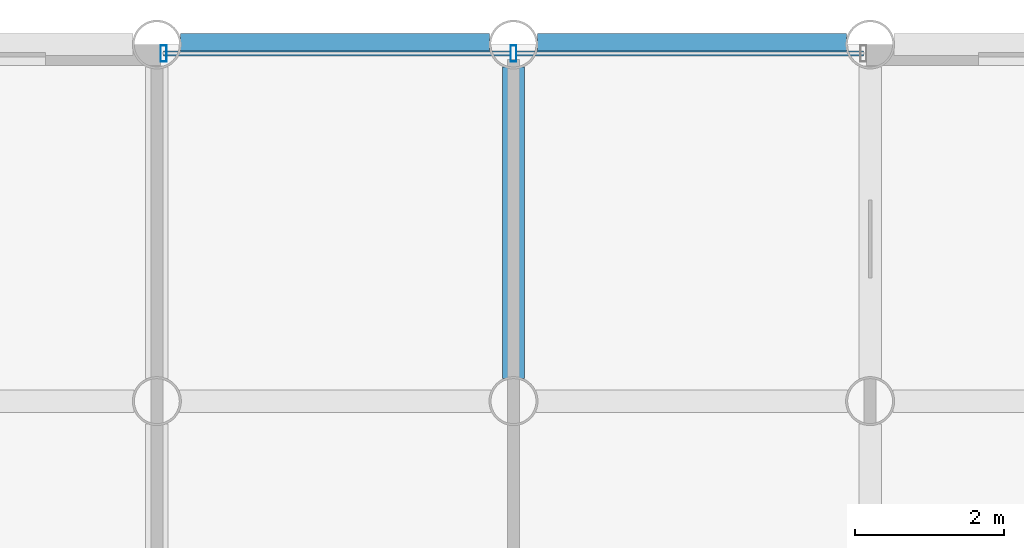
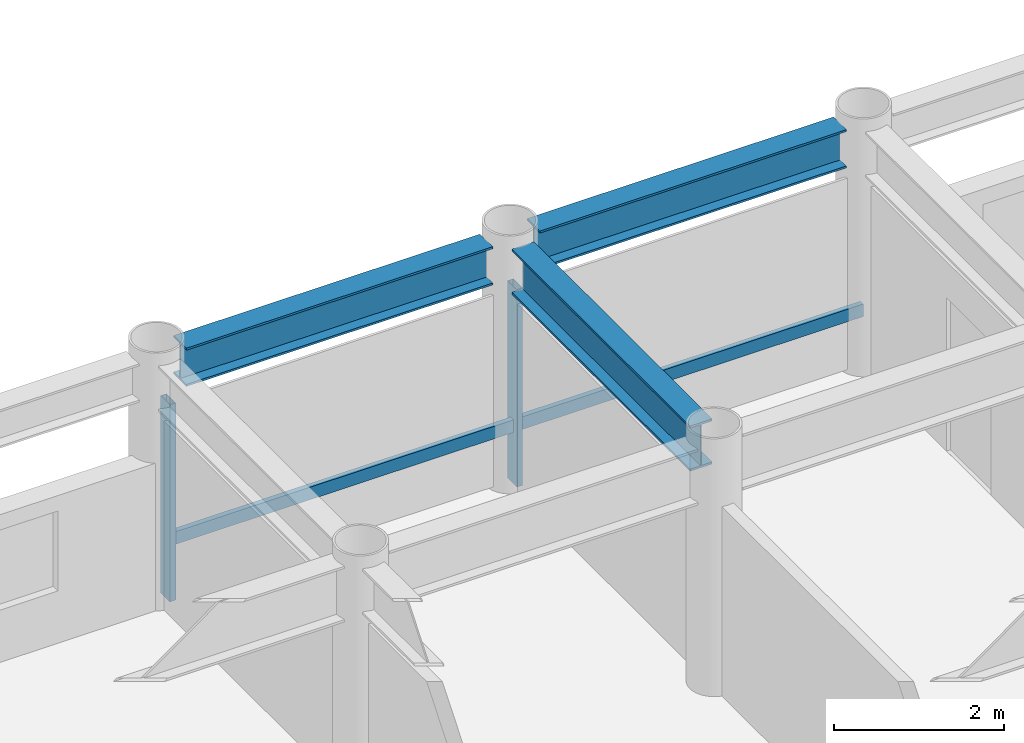
# One storey, part 13 of 22: 4 members, 3 beams, 1 element without a shape of its own.
"""IFC4 building model written with IfcOpenShell, lengths in metres."""

import ifcopenshell
import ifcopenshell.guid

model = None  # the IFC model being written
_history = None  # IfcOwnerHistory: only IFC2X3 demands one
_inside = {}  # id of a spatial element -> (the spatial element, [elements in it])
_under = {}  # id of a project, library or spatial element -> (it, [spatial elements below it])
_declared = {}  # id of a project -> (the project, [libraries it declares])
_typed = {}  # id of a type object -> (the type object, [elements of that type])
_made_of = {}  # id of a material, layer set ... -> (it, [elements and type objects made of it])


def new_model(schema):
    """Start an empty IFC model of exactly this schema.

    Asked for "IFC4X3", IfcOpenShell would pick the latest addendum, in which some entities
    have other attributes; the version numbers below select the first issue.
    IFC2X3 requires an IfcOwnerHistory on every rooted entity: one is made here for all.
    """
    global model, _history
    if schema == "IFC4X3":
        model = ifcopenshell.file(schema_version=(4, 3, 0, 0))
    else:
        model = ifcopenshell.file(schema=schema)
    _inside.clear()
    _under.clear()
    _declared.clear()
    _typed.clear()
    _made_of.clear()
    _history = None
    if model.schema == "IFC2X3":
        org = make("IfcOrganization", Name="unknown")
        user = make(
            "IfcPersonAndOrganization",
            ThePerson=make("IfcPerson", FamilyName="unknown"),
            TheOrganization=org,
        )
        app = make(
            "IfcApplication",
            ApplicationDeveloper=org,
            Version="unknown",
            ApplicationFullName="unknown",
            ApplicationIdentifier="unknown",
        )
        _history = make(
            "IfcOwnerHistory",
            OwningUser=user,
            OwningApplication=app,
            ChangeAction="ADDED",
            CreationDate=0,
        )
    return model


def make(cls, **values):
    """One entity of the class cls with the attributes given. An attribute that is None is left unset."""
    return model.create_entity(
        cls, **{name: value for name, value in values.items() if value is not None}
    )


def rooted(cls, **values):
    """An entity with a GlobalId (a new one), such as an element, a storey or a relation."""
    return make(cls, GlobalId=ifcopenshell.guid.new(), OwnerHistory=_history, **values)


def si_unit(unit_type, name, prefix=None):
    """IfcSIUnit, for example si_unit("LENGTHUNIT", "METRE", prefix="MILLI")."""
    return make("IfcSIUnit", UnitType=unit_type, Prefix=prefix, Name=name)


def assignment(units):
    """IfcUnitAssignment: the units of a project."""
    return None if units is None else make("IfcUnitAssignment", Units=units)


def point(xyz):
    """IfcCartesianPoint."""
    return None if xyz is None else make("IfcCartesianPoint", Coordinates=xyz)


def direction(xyz):
    """IfcDirection."""
    return None if xyz is None else make("IfcDirection", DirectionRatios=xyz)


def frame(location, z_axis=None, x_axis=None):
    """IfcAxis2Placement3D, a coordinate frame: its origin and axes. An axis left out is left unset."""
    return make(
        "IfcAxis2Placement3D",
        Location=point(location),
        Axis=direction(z_axis),
        RefDirection=direction(x_axis),
    )


def frame_2d(location, x_axis=None):
    """IfcAxis2Placement2D, a coordinate frame in the plane: its origin and x axis."""
    return make(
        "IfcAxis2Placement2D", Location=point(location), RefDirection=direction(x_axis)
    )


def origin():
    """The frame at (0, 0, 0) with its axes left unset."""
    return frame((0.0, 0.0, 0.0))


def origin_2d():
    """The frame at (0, 0) in the plane with its x axis left unset."""
    return frame_2d((0.0, 0.0))


def place(relative_to, where):
    """IfcLocalPlacement: puts the frame where relative to a parent placement (None: the world)."""
    return make(
        "IfcLocalPlacement", PlacementRelTo=relative_to, RelativePlacement=where
    )


def context(
    kind, dimensions, precision=None, world=None, true_north=None, identifier=None
):
    """IfcGeometricRepresentationContext, for example the 3D "Model" context."""
    return make(
        "IfcGeometricRepresentationContext",
        ContextIdentifier=identifier,
        ContextType=kind,
        CoordinateSpaceDimension=dimensions,
        Precision=precision,
        WorldCoordinateSystem=world,
        TrueNorth=true_north,
    )


def subcontext(parent, identifier, kind, view, scale=None):
    """IfcGeometricRepresentationSubContext, for example "Body" below "Model"."""
    return make(
        "IfcGeometricRepresentationSubContext",
        ContextIdentifier=identifier,
        ContextType=kind,
        ParentContext=parent,
        TargetScale=scale,
        TargetView=view,
    )


def project(units=None, contexts=None):
    """IfcProject with its units and contexts."""
    return rooted(
        "IfcProject",
        Name="project",
        RepresentationContexts=contexts,
        UnitsInContext=assignment(units),
    )


def spatial(cls, under=None, at=None, **own):
    """A site, building, storey or space (cls), placed at a placement, below another one or the project."""
    s = rooted(cls, ObjectPlacement=at, **own)
    if under is not None:
        _under.setdefault(under.id(), (under, []))[1].append(s)
    return s


def profile(cls, at=None, kind="AREA", **sizes):
    """A parametric profile (cls). Its sizes go by their IFC names, for example OverallWidth=200.0."""
    return make(cls, ProfileType=kind, Position=at, **sizes)


def hollow_rectangle(**sizes):
    """IfcRectangleHollowProfileDef."""
    return profile("IfcRectangleHollowProfileDef", **sizes)


def i_section(**sizes):
    """IfcIShapeProfileDef."""
    return profile("IfcIShapeProfileDef", **sizes)


def extrude(swept, where, along, depth):
    """IfcExtrudedAreaSolid: the profile swept, set in the frame where, extruded along a direction by depth."""
    return make(
        "IfcExtrudedAreaSolid",
        SweptArea=swept,
        Position=where,
        ExtrudedDirection=direction(along),
        Depth=depth,
    )


def shape(context_of_items, identifier, shape_type, items):
    """IfcShapeRepresentation: the items that make up one representation, for example the "Body"."""
    return make(
        "IfcShapeRepresentation",
        ContextOfItems=context_of_items,
        RepresentationIdentifier=identifier,
        RepresentationType=shape_type,
        Items=items,
    )


def material(Name=None, Category=None):
    """IfcMaterial."""
    return make("IfcMaterial", Name=Name, Category=Category)


def layer(
    of_material, thickness, ventilated=None, Name=None, Category=None, Priority=None
):
    """IfcMaterialLayer: one layer of a wall or slab, of a material (None: an air gap)."""
    return make(
        "IfcMaterialLayer",
        Material=of_material,
        LayerThickness=thickness,
        IsVentilated=ventilated,
        Name=Name,
        Category=Category,
        Priority=Priority,
    )


def layer_set(layers, Name=None):
    """IfcMaterialLayerSet."""
    return make("IfcMaterialLayerSet", MaterialLayers=layers, LayerSetName=Name)


def material_profile(
    of_material, cross_section, Name=None, Category=None, Priority=None
):
    """IfcMaterialProfile: a cross section and its material."""
    return make(
        "IfcMaterialProfile",
        Name=Name,
        Material=of_material,
        Profile=cross_section,
        Priority=Priority,
        Category=Category,
    )


def profile_set(profiles, Name=None, composite=None):
    """IfcMaterialProfileSet."""
    return make(
        "IfcMaterialProfileSet",
        Name=Name,
        MaterialProfiles=profiles,
        CompositeProfile=composite,
    )


def made_of(thing, what):
    """Note that an element or type object is made of a material, layer set ...; save() writes the relation."""
    if what is not None:
        _made_of.setdefault(what.id(), (what, []))[1].append(thing)
    return thing


def type_object(cls, material=None, **own):
    """A type object (cls), such as IfcWallType, which elements share."""
    return made_of(rooted(cls, **own), material)


def element(
    cls,
    number,
    at=None,
    inside=None,
    cuts=None,
    type_object=None,
    material=None,
    context=None,
    identifier="Body",
    shape_type=None,
    held_by="IfcProductDefinitionShape",
    body=None,
    shapes=None,
    **own,
):
    """One element of the class cls, such as IfcWall. Its Tag is "e" and its number.

    at: its placement. inside: the storey or other place that contains it. cuts: it is an
    opening in that element (IfcRelVoidsElement). A single representation is given by context,
    identifier, shape_type and body (its items); several are given by shapes. held_by: the class
    of the entity that holds the representations. save() writes the other relations.
    """
    e = rooted(cls, Tag="e%d" % number, ObjectPlacement=at, **own)
    if body is not None:
        shapes = [shape(context, identifier, shape_type, body)]
    if shapes is not None:
        e.Representation = make(held_by, Representations=shapes)
    if inside is not None:
        _inside.setdefault(inside.id(), (inside, []))[1].append(e)
    if cuts is not None:
        rooted(
            "IfcRelVoidsElement", RelatingBuildingElement=cuts, RelatedOpeningElement=e
        )
    if type_object is not None:
        _typed.setdefault(type_object.id(), (type_object, []))[1].append(e)
    return made_of(e, material)


def aggregate(whole, parts):
    """IfcRelAggregates: a whole, such as a stair, and the parts it consists of."""
    return rooted("IfcRelAggregates", RelatingObject=whole, RelatedObjects=parts)


def save(model, path):
    """Write the relations noted so far, then the file.

    IfcRelAggregates (storeys below a building ...), IfcRelContainedInSpatialStructure (elements
    in a storey), IfcRelDefinesByType, IfcRelAssociatesMaterial and IfcRelDeclares: one each for
    every whole, place, type object, material and project.
    """
    for whole, parts in _under.values():
        aggregate(whole, parts)
    for where, things in _inside.values():
        rooted(
            "IfcRelContainedInSpatialStructure",
            RelatedElements=things,
            RelatingStructure=where,
        )
    for kind, things in _typed.values():
        rooted("IfcRelDefinesByType", RelatedObjects=things, RelatingType=kind)
    for what, things in _made_of.values():
        rooted("IfcRelAssociatesMaterial", RelatedObjects=things, RelatingMaterial=what)
    for by, libraries in _declared.values():
        rooted("IfcRelDeclares", RelatingContext=by, RelatedDefinitions=libraries)
    model.write(path)


model = new_model("IFC4")

# Units and contexts
model_context = context("Model", 3, precision=1e-05, world=origin(), true_north=direction((0.0, 1.0)))
body_context = subcontext(model_context, "Body", "Model", "MODEL_VIEW")
ifc_project = project(units=[si_unit("LENGTHUNIT", "METRE"), si_unit("AREAUNIT", "SQUARE_METRE"), si_unit("VOLUMEUNIT", "CUBIC_METRE"), si_unit("PLANEANGLEUNIT", "RADIAN"), si_unit("MASSUNIT", "GRAM", prefix="KILO")], contexts=[model_context])

# Site, building, storey
site_placement = place(None, origin())
site = spatial("IfcSite", under=ifc_project, at=site_placement, CompositionType="ELEMENT")
building_placement = place(site_placement, origin())
building = spatial("IfcBuilding", under=site, at=building_placement, Name="Kallvorn Hotel Tower", CompositionType="ELEMENT")
storey_placement = place(building_placement, frame((0.0, 0.0, 110.0)))
storey = spatial("IfcBuildingStorey", under=building, at=storey_placement, Name="L26", CompositionType="ELEMENT", Elevation=110.0)

# Beams
ifc_material_1 = material(Name="Structural steel S355JR", Category="steel")
ifc_material_profile_1 = material_profile(ifc_material_1, i_section(OverallWidth=0.300048828125, OverallDepth=0.550048828125, WebThickness=0.014892578125, FlangeThickness=0.029052734375, at=origin_2d()), Name="HE 550 B")
ifc_profile_set_1 = profile_set([ifc_material_profile_1], Name="Structural steel S355JR")
beam_type_1 = type_object("IfcBeamType", Name="BM_HE550B", PredefinedType="SPANDREL", material=ifc_profile_set_1)
for number, where, z_axis, x_axis, name in (
    (1, (-4.47998046875, 24.0, 3.2451171875), (1.0, 0.0, 0.0), (0.0, 1.0, 0.0), "L27 Perimeter Spandrel 167"),
    (2, (0.320068359375, 24.0, 3.2451171875), (1.0, 0.0, 0.0), (0.0, 1.0, 0.0), "L27 Perimeter Spandrel 168"),
):
    element("IfcBeam", number, at=place(storey_placement, frame(where, z_axis=z_axis, x_axis=x_axis)), inside=storey, type_object=beam_type_1, Name=name, PredefinedType="SPANDREL", context=body_context, shape_type="SweptSolid", body=[
        extrude(i_section(OverallWidth=0.300048828125, OverallDepth=0.550048828125, WebThickness=0.014892578125, FlangeThickness=0.029052734375, at=origin_2d()), origin(), (0.0, 0.0, 1.0), 4.159912109375),
    ])
ifc_material_2 = material(Name="Structural steel S355JR", Category="steel")
ifc_material_profile_2 = material_profile(ifc_material_2, i_section(OverallWidth=0.300048828125, OverallDepth=0.64990234375, WebThickness=0.01611328125, FlangeThickness=0.031005859375, at=origin_2d()), Name="HE 650 B")
ifc_profile_set_2 = profile_set([ifc_material_profile_2], Name="Structural steel S355JR")
beam_type_2 = type_object("IfcBeamType", Name="BM_HE650B", PredefinedType="BEAM", material=ifc_profile_set_2)
beam_placement = place(storey_placement, frame((0.0, 19.5048828125, 3.195068359375), z_axis=(0.0, 1.0, 0.0), x_axis=(-1.0, 0.0, 0.0)))
element("IfcBeam", 3, at=beam_placement, inside=storey, type_object=beam_type_2, Name="L27 Primary Y-Girder 112", PredefinedType="BEAM", context=body_context, shape_type="SweptSolid", body=[
    extrude(i_section(OverallWidth=0.300048828125, OverallDepth=0.64990234375, WebThickness=0.01611328125, FlangeThickness=0.031005859375, at=origin_2d()), origin(), (0.0, 0.0, 1.0), 4.190185546875),
])

# Curtain wall, members
ifc_material_3 = material(Name="Thermally broken black-anodised aluminium AA 6063-T6", Category="aluminium")
ifc_layer = layer(ifc_material_3, 0.199951171875)
ifc_layer_set = layer_set([ifc_layer], Name="CW_SYS_3_HOTEL_LOW")
curtain_wall_type = type_object("IfcCurtainWallType", Name="CW_SYS_3_HOTEL_LOW", PredefinedType="USERDEFINED", material=ifc_layer_set)
curtain_wall_placement = place(storey_placement, origin())
curtain_wall = element("IfcCurtainWall", 4, at=curtain_wall_placement, inside=storey, type_object=curtain_wall_type, Name="L26 Dark-Glass Curtain Wall CW-L26-NC", ObjectType="UNITISED CURTAIN WALL", PredefinedType="USERDEFINED")
ifc_material_4 = material(Name="Thermally broken black-anodised aluminium AA 6063-T6", Category="aluminium")
ifc_material_profile_3 = material_profile(ifc_material_4, hollow_rectangle(XDim=0.080078125, YDim=0.219970703125, WallThickness=0.0048828125, at=origin_2d()), Name="MUL 220x80")
ifc_profile_set_3 = profile_set([ifc_material_profile_3], Name="Thermally broken black-anodised aluminium AA 6063-T6")
member_type_1 = type_object("IfcMemberType", Name="CW_MULLION_220x80", PredefinedType="MULLION", material=ifc_profile_set_3)
member_1_placement = place(storey_placement, frame((-4.7099609375, 23.8798828125, 0.02001953125), z_axis=(0.0, 0.0, 1.0), x_axis=(1.0, 0.0, 0.0)))
member_1 = element("IfcMember", 5, at=member_1_placement, type_object=member_type_1, Name="CW-L26-NC Mullion 00", PredefinedType="MULLION", context=body_context, shape_type="SweptSolid", body=[
    extrude(hollow_rectangle(XDim=0.080078125, YDim=0.219970703125, WallThickness=0.0048828125, at=origin_2d()), origin(), (0.0, 0.0, 1.0), 2.830078125),
])
member_2_placement = place(storey_placement, frame((0.0, 23.8798828125, 0.02001953125), z_axis=(0.0, 0.0, 1.0), x_axis=(1.0, 0.0, 0.0)))
member_2 = element("IfcMember", 6, at=member_2_placement, type_object=member_type_1, Name="CW-L26-NC Mullion 01", PredefinedType="MULLION", context=body_context, shape_type="SweptSolid", body=[
    extrude(hollow_rectangle(XDim=0.080078125, YDim=0.219970703125, WallThickness=0.0048828125, at=origin_2d()), origin(), (0.0, 0.0, 1.0), 2.830078125),
])
ifc_material_5 = material(Name="Thermally broken black-anodised aluminium AA 6063-T6", Category="aluminium")
ifc_material_profile_4 = material_profile(ifc_material_5, hollow_rectangle(XDim=0.070068359375, YDim=0.179931640625, WallThickness=0.00390625, at=origin_2d()), Name="TRN 180x70")
ifc_profile_set_4 = profile_set([ifc_material_profile_4], Name="Thermally broken black-anodised aluminium AA 6063-T6")
member_type_2 = type_object("IfcMemberType", Name="CW_TRANSOM_180x70", PredefinedType="USERDEFINED", material=ifc_profile_set_4)
member_3_placement = place(storey_placement, frame((-4.7099609375, 23.8798828125, 0.85009765625), z_axis=(1.0, 0.0, 0.0), x_axis=(0.0, 1.0, 0.0)))
member_3 = element("IfcMember", 7, at=member_3_placement, type_object=member_type_2, Name="CW-L26-NC Transom 00M", ObjectType="TRANSOM", PredefinedType="USERDEFINED", context=body_context, shape_type="SweptSolid", body=[
    extrude(hollow_rectangle(XDim=0.070068359375, YDim=0.179931640625, WallThickness=0.00390625, at=origin_2d()), origin(), (0.0, 0.0, 1.0), 4.669921875),
])
member_4_placement = place(storey_placement, frame((0.0400390625, 23.8798828125, 0.85009765625), z_axis=(1.0, 0.0, 0.0), x_axis=(0.0, 1.0, 0.0)))
member_4 = element("IfcMember", 8, at=member_4_placement, type_object=member_type_2, Name="CW-L26-NC Transom 01M", ObjectType="TRANSOM", PredefinedType="USERDEFINED", context=body_context, shape_type="SweptSolid", body=[
    extrude(hollow_rectangle(XDim=0.070068359375, YDim=0.179931640625, WallThickness=0.00390625, at=origin_2d()), origin(), (0.0, 0.0, 1.0), 4.669921875),
])
aggregate(curtain_wall, [member_1, member_2, member_3, member_4])

save(model, "model.ifc")
